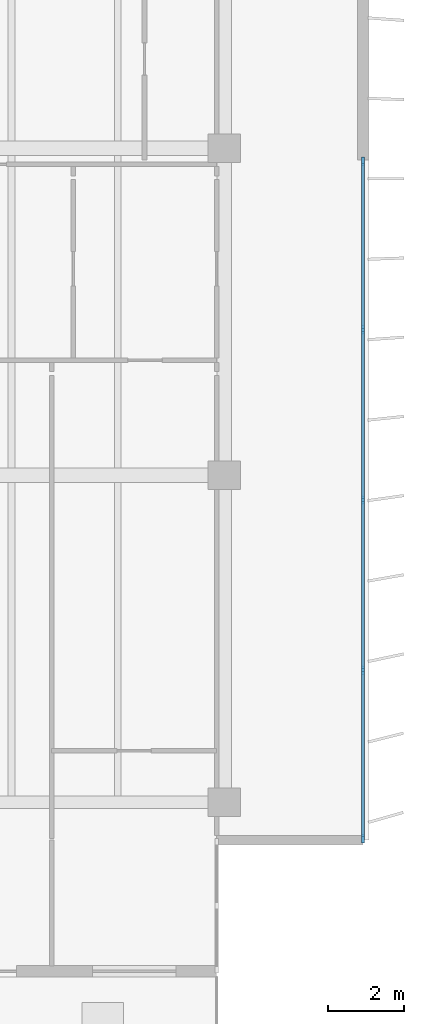
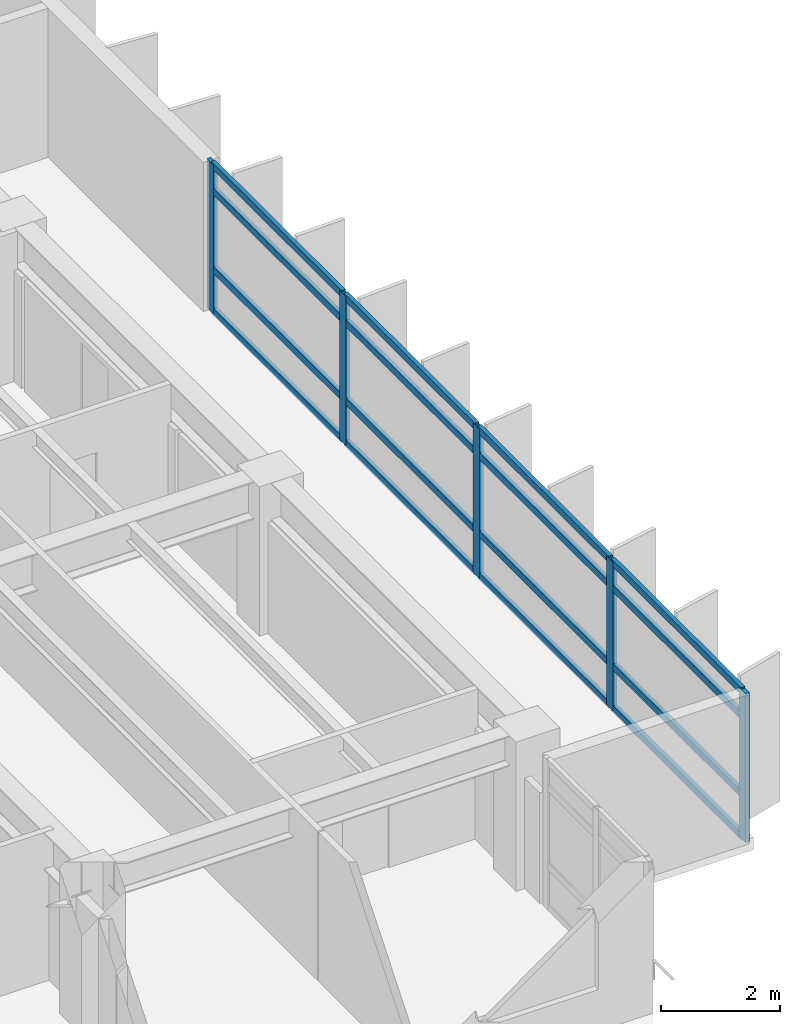
# One storey, part 6 of 19: 21 members, 1 element without a shape of its own.
"""IFC4 building model written with IfcOpenShell, lengths in metres."""

from ifc_helpers import new_model, si_unit, direction, frame, origin, origin_2d, place, context, subcontext, project, spatial, rectangle, extrude, material, layer, layer_set, material_profile, profile_set, type_object, element, aggregate, save


model = new_model("IFC4")

# Units and contexts
model_context = context("Model", 3, precision=1e-05, world=origin(), true_north=direction((0.0, 1.0)))
body_context = subcontext(model_context, "Body", "Model", "MODEL_VIEW")
ifc_project = project(units=[si_unit("LENGTHUNIT", "METRE"), si_unit("AREAUNIT", "SQUARE_METRE"), si_unit("VOLUMEUNIT", "CUBIC_METRE"), si_unit("PLANEANGLEUNIT", "RADIAN"), si_unit("MASSUNIT", "GRAM", prefix="KILO")], contexts=[model_context])

# Site, building, storey
site_placement = place(None, origin())
site = spatial("IfcSite", under=ifc_project, at=site_placement, CompositionType="ELEMENT")
building_placement = place(site_placement, origin())
building = spatial("IfcBuilding", under=site, at=building_placement, Name="Caelmar Bay Residences", CompositionType="ELEMENT")
storey_placement = place(building_placement, frame((0.0, 0.0, 214.800048828125)))
storey = spatial("IfcBuildingStorey", under=building, at=storey_placement, Name="L60", CompositionType="ELEMENT", Elevation=214.800048828125)

# Curtain wall, members
ifc_material_1 = material(Name="Anodised bronze aluminium 6063-T6 and laminated glass", Category="aluminium")
ifc_layer = layer(ifc_material_1, 0.179931640625)
ifc_layer_set = layer_set([ifc_layer], Name="Anodised bronze aluminium 6063-T6 and laminated glass")
curtain_wall_type = type_object("IfcCurtainWallType", Name="CW4-Z3", PredefinedType="NOTDEFINED", material=ifc_layer_set)
curtain_wall_placement = place(storey_placement, origin())
curtain_wall = element("IfcCurtainWall", 1, at=curtain_wall_placement, inside=storey, type_object=curtain_wall_type, Name="CW4 curtain wall L60", PredefinedType="NOTDEFINED")
ifc_material_2 = material(Name="Anodised bronze aluminium 6063-T6", Category="aluminium")
ifc_material_profile_1 = material_profile(ifc_material_2, rectangle(XDim=0.080078125, YDim=0.219970703125, at=origin_2d()), Name="CWM-80X220")
ifc_profile_set_1 = profile_set([ifc_material_profile_1], Name="Anodised bronze aluminium 6063-T6")
member_type_1 = type_object("IfcMemberType", Name="CWM-220", PredefinedType="MULLION", material=ifc_profile_set_1)
member_1_placement = place(storey_placement, frame((71.550048828125, 29.06005859375, 0.0), z_axis=(0.0, 0.0, 1.0), x_axis=(1.0, 0.0, 0.0)))
member_1 = element("IfcMember", 2, at=member_1_placement, type_object=member_type_1, Name="CW4 mullion 1", PredefinedType="MULLION", context=body_context, shape_type="SweptSolid", body=[
    extrude(rectangle(XDim=0.080078125, YDim=0.219970703125, at=origin_2d()), origin(), (0.0, 0.0, 1.0), 3.050048828125),
])
member_2_placement = place(storey_placement, frame((71.550048828125, 24.625, 0.0), z_axis=(0.0, 0.0, 1.0), x_axis=(1.0, 0.0, 0.0)))
member_2 = element("IfcMember", 3, at=member_2_placement, type_object=member_type_1, Name="CW4 mullion 2", PredefinedType="MULLION", context=body_context, shape_type="SweptSolid", body=[
    extrude(rectangle(XDim=0.080078125, YDim=0.219970703125, at=origin_2d()), origin(), (0.0, 0.0, 1.0), 3.050048828125),
])
member_3_placement = place(storey_placement, frame((71.550048828125, 20.14990234375, 0.0), z_axis=(0.0, 0.0, 1.0), x_axis=(1.0, 0.0, 0.0)))
member_3 = element("IfcMember", 4, at=member_3_placement, type_object=member_type_1, Name="CW4 mullion 3", PredefinedType="MULLION", context=body_context, shape_type="SweptSolid", body=[
    extrude(rectangle(XDim=0.080078125, YDim=0.219970703125, at=origin_2d()), origin(), (0.0, 0.0, 1.0), 3.050048828125),
])
member_4_placement = place(storey_placement, frame((71.550048828125, 15.675048828125, 0.0), z_axis=(0.0, 0.0, 1.0), x_axis=(1.0, 0.0, 0.0)))
member_4 = element("IfcMember", 5, at=member_4_placement, type_object=member_type_1, Name="CW4 mullion 4", PredefinedType="MULLION", context=body_context, shape_type="SweptSolid", body=[
    extrude(rectangle(XDim=0.080078125, YDim=0.219970703125, at=origin_2d()), origin(), (0.0, 0.0, 1.0), 3.050048828125),
])
member_5_placement = place(storey_placement, frame((71.550048828125, 11.239990234375, 0.0), z_axis=(0.0, 0.0, 1.0), x_axis=(1.0, 0.0, 0.0)))
member_5 = element("IfcMember", 6, at=member_5_placement, type_object=member_type_1, Name="CW4 mullion 5", PredefinedType="MULLION", context=body_context, shape_type="SweptSolid", body=[
    extrude(rectangle(XDim=0.080078125, YDim=0.219970703125, at=origin_2d()), origin(), (0.0, 0.0, 1.0), 3.050048828125),
])
ifc_material_profile_2 = material_profile(ifc_material_2, rectangle(XDim=0.080078125, YDim=0.139892578125, at=origin_2d()), Name="CWT-80X140")
ifc_profile_set_2 = profile_set([ifc_material_profile_2], Name="Anodised bronze aluminium 6063-T6")
member_type_2 = type_object("IfcMemberType", Name="CWT-140", PredefinedType="NOTDEFINED", material=ifc_profile_set_2)
member_6_placement = place(storey_placement, frame((71.550048828125, 29.02001953125, 0.0400390625), z_axis=(0.0, -1.0, 0.0), x_axis=(1.0, 0.0, 0.0)))
member_6 = element("IfcMember", 7, at=member_6_placement, type_object=member_type_2, Name="CW4 transom 1.1", ObjectType="TRANSOM", PredefinedType="USERDEFINED", context=body_context, shape_type="SweptSolid", body=[
    extrude(rectangle(XDim=0.080078125, YDim=0.139892578125, at=origin_2d()), origin(), (0.0, 0.0, 1.0), 4.35498046875),
])
member_7_placement = place(storey_placement, frame((71.550048828125, 29.02001953125, 0.89990234375), z_axis=(0.0, -1.0, 0.0), x_axis=(1.0, 0.0, 0.0)))
member_7 = element("IfcMember", 8, at=member_7_placement, type_object=member_type_2, Name="CW4 transom 1.2", ObjectType="TRANSOM", PredefinedType="USERDEFINED", context=body_context, shape_type="SweptSolid", body=[
    extrude(rectangle(XDim=0.080078125, YDim=0.139892578125, at=origin_2d()), origin(), (0.0, 0.0, 1.0), 4.35498046875),
])
member_8_placement = place(storey_placement, frame((71.550048828125, 29.02001953125, 2.5), z_axis=(0.0, -1.0, 0.0), x_axis=(1.0, 0.0, 0.0)))
member_8 = element("IfcMember", 9, at=member_8_placement, type_object=member_type_2, Name="CW4 transom 1.3", ObjectType="TRANSOM", PredefinedType="USERDEFINED", context=body_context, shape_type="SweptSolid", body=[
    extrude(rectangle(XDim=0.080078125, YDim=0.139892578125, at=origin_2d()), origin(), (0.0, 0.0, 1.0), 4.35498046875),
])
member_9_placement = place(storey_placement, frame((71.550048828125, 29.02001953125, 3.010009765625), z_axis=(0.0, -1.0, 0.0), x_axis=(1.0, 0.0, 0.0)))
member_9 = element("IfcMember", 10, at=member_9_placement, type_object=member_type_2, Name="CW4 transom 1.4", ObjectType="TRANSOM", PredefinedType="USERDEFINED", context=body_context, shape_type="SweptSolid", body=[
    extrude(rectangle(XDim=0.080078125, YDim=0.139892578125, at=origin_2d()), origin(), (0.0, 0.0, 1.0), 4.35498046875),
])
member_10_placement = place(storey_placement, frame((71.550048828125, 24.5849609375, 0.0400390625), z_axis=(0.0, -1.0, 0.0), x_axis=(1.0, 0.0, 0.0)))
member_10 = element("IfcMember", 11, at=member_10_placement, type_object=member_type_2, Name="CW4 transom 2.1", ObjectType="TRANSOM", PredefinedType="USERDEFINED", context=body_context, shape_type="SweptSolid", body=[
    extrude(rectangle(XDim=0.080078125, YDim=0.139892578125, at=origin_2d()), origin(), (0.0, 0.0, 1.0), 4.39501953125),
])
member_11_placement = place(storey_placement, frame((71.550048828125, 24.5849609375, 0.89990234375), z_axis=(0.0, -1.0, 0.0), x_axis=(1.0, 0.0, 0.0)))
member_11 = element("IfcMember", 12, at=member_11_placement, type_object=member_type_2, Name="CW4 transom 2.2", ObjectType="TRANSOM", PredefinedType="USERDEFINED", context=body_context, shape_type="SweptSolid", body=[
    extrude(rectangle(XDim=0.080078125, YDim=0.139892578125, at=origin_2d()), origin(), (0.0, 0.0, 1.0), 4.39501953125),
])
member_12_placement = place(storey_placement, frame((71.550048828125, 24.5849609375, 2.5), z_axis=(0.0, -1.0, 0.0), x_axis=(1.0, 0.0, 0.0)))
member_12 = element("IfcMember", 13, at=member_12_placement, type_object=member_type_2, Name="CW4 transom 2.3", ObjectType="TRANSOM", PredefinedType="USERDEFINED", context=body_context, shape_type="SweptSolid", body=[
    extrude(rectangle(XDim=0.080078125, YDim=0.139892578125, at=origin_2d()), origin(), (0.0, 0.0, 1.0), 4.39501953125),
])
member_13_placement = place(storey_placement, frame((71.550048828125, 24.5849609375, 3.010009765625), z_axis=(0.0, -1.0, 0.0), x_axis=(1.0, 0.0, 0.0)))
member_13 = element("IfcMember", 14, at=member_13_placement, type_object=member_type_2, Name="CW4 transom 2.4", ObjectType="TRANSOM", PredefinedType="USERDEFINED", context=body_context, shape_type="SweptSolid", body=[
    extrude(rectangle(XDim=0.080078125, YDim=0.139892578125, at=origin_2d()), origin(), (0.0, 0.0, 1.0), 4.39501953125),
])
member_14_placement = place(storey_placement, frame((71.550048828125, 20.110107421875, 0.0400390625), z_axis=(0.0, -1.0, 0.0), x_axis=(1.0, 0.0, 0.0)))
member_14 = element("IfcMember", 15, at=member_14_placement, type_object=member_type_2, Name="CW4 transom 3.1", ObjectType="TRANSOM", PredefinedType="USERDEFINED", context=body_context, shape_type="SweptSolid", body=[
    extrude(rectangle(XDim=0.080078125, YDim=0.139892578125, at=origin_2d()), origin(), (0.0, 0.0, 1.0), 4.39501953125),
])
member_15_placement = place(storey_placement, frame((71.550048828125, 20.110107421875, 0.89990234375), z_axis=(0.0, -1.0, 0.0), x_axis=(1.0, 0.0, 0.0)))
member_15 = element("IfcMember", 16, at=member_15_placement, type_object=member_type_2, Name="CW4 transom 3.2", ObjectType="TRANSOM", PredefinedType="USERDEFINED", context=body_context, shape_type="SweptSolid", body=[
    extrude(rectangle(XDim=0.080078125, YDim=0.139892578125, at=origin_2d()), origin(), (0.0, 0.0, 1.0), 4.39501953125),
])
member_16_placement = place(storey_placement, frame((71.550048828125, 20.110107421875, 2.5), z_axis=(0.0, -1.0, 0.0), x_axis=(1.0, 0.0, 0.0)))
member_16 = element("IfcMember", 17, at=member_16_placement, type_object=member_type_2, Name="CW4 transom 3.3", ObjectType="TRANSOM", PredefinedType="USERDEFINED", context=body_context, shape_type="SweptSolid", body=[
    extrude(rectangle(XDim=0.080078125, YDim=0.139892578125, at=origin_2d()), origin(), (0.0, 0.0, 1.0), 4.39501953125),
])
member_17_placement = place(storey_placement, frame((71.550048828125, 20.110107421875, 3.010009765625), z_axis=(0.0, -1.0, 0.0), x_axis=(1.0, 0.0, 0.0)))
member_17 = element("IfcMember", 18, at=member_17_placement, type_object=member_type_2, Name="CW4 transom 3.4", ObjectType="TRANSOM", PredefinedType="USERDEFINED", context=body_context, shape_type="SweptSolid", body=[
    extrude(rectangle(XDim=0.080078125, YDim=0.139892578125, at=origin_2d()), origin(), (0.0, 0.0, 1.0), 4.39501953125),
])
member_18_placement = place(storey_placement, frame((71.550048828125, 15.635009765625, 0.0400390625), z_axis=(0.0, -1.0, 0.0), x_axis=(1.0, 0.0, 0.0)))
member_18 = element("IfcMember", 19, at=member_18_placement, type_object=member_type_2, Name="CW4 transom 4.1", ObjectType="TRANSOM", PredefinedType="USERDEFINED", context=body_context, shape_type="SweptSolid", body=[
    extrude(rectangle(XDim=0.080078125, YDim=0.139892578125, at=origin_2d()), origin(), (0.0, 0.0, 1.0), 4.35498046875),
])
member_19_placement = place(storey_placement, frame((71.550048828125, 15.635009765625, 0.89990234375), z_axis=(0.0, -1.0, 0.0), x_axis=(1.0, 0.0, 0.0)))
member_19 = element("IfcMember", 20, at=member_19_placement, type_object=member_type_2, Name="CW4 transom 4.2", ObjectType="TRANSOM", PredefinedType="USERDEFINED", context=body_context, shape_type="SweptSolid", body=[
    extrude(rectangle(XDim=0.080078125, YDim=0.139892578125, at=origin_2d()), origin(), (0.0, 0.0, 1.0), 4.35498046875),
])
member_20_placement = place(storey_placement, frame((71.550048828125, 15.635009765625, 2.5), z_axis=(0.0, -1.0, 0.0), x_axis=(1.0, 0.0, 0.0)))
member_20 = element("IfcMember", 21, at=member_20_placement, type_object=member_type_2, Name="CW4 transom 4.3", ObjectType="TRANSOM", PredefinedType="USERDEFINED", context=body_context, shape_type="SweptSolid", body=[
    extrude(rectangle(XDim=0.080078125, YDim=0.139892578125, at=origin_2d()), origin(), (0.0, 0.0, 1.0), 4.35498046875),
])
member_21_placement = place(storey_placement, frame((71.550048828125, 15.635009765625, 3.010009765625), z_axis=(0.0, -1.0, 0.0), x_axis=(1.0, 0.0, 0.0)))
member_21 = element("IfcMember", 22, at=member_21_placement, type_object=member_type_2, Name="CW4 transom 4.4", ObjectType="TRANSOM", PredefinedType="USERDEFINED", context=body_context, shape_type="SweptSolid", body=[
    extrude(rectangle(XDim=0.080078125, YDim=0.139892578125, at=origin_2d()), origin(), (0.0, 0.0, 1.0), 4.35498046875),
])
aggregate(curtain_wall, [member_1, member_2, member_3, member_4, member_5, member_6, member_7, member_8, member_9, member_10, member_11, member_12, member_13, member_14, member_15, member_16, member_17, member_18, member_19, member_20, member_21])

save(model, "model.ifc")
